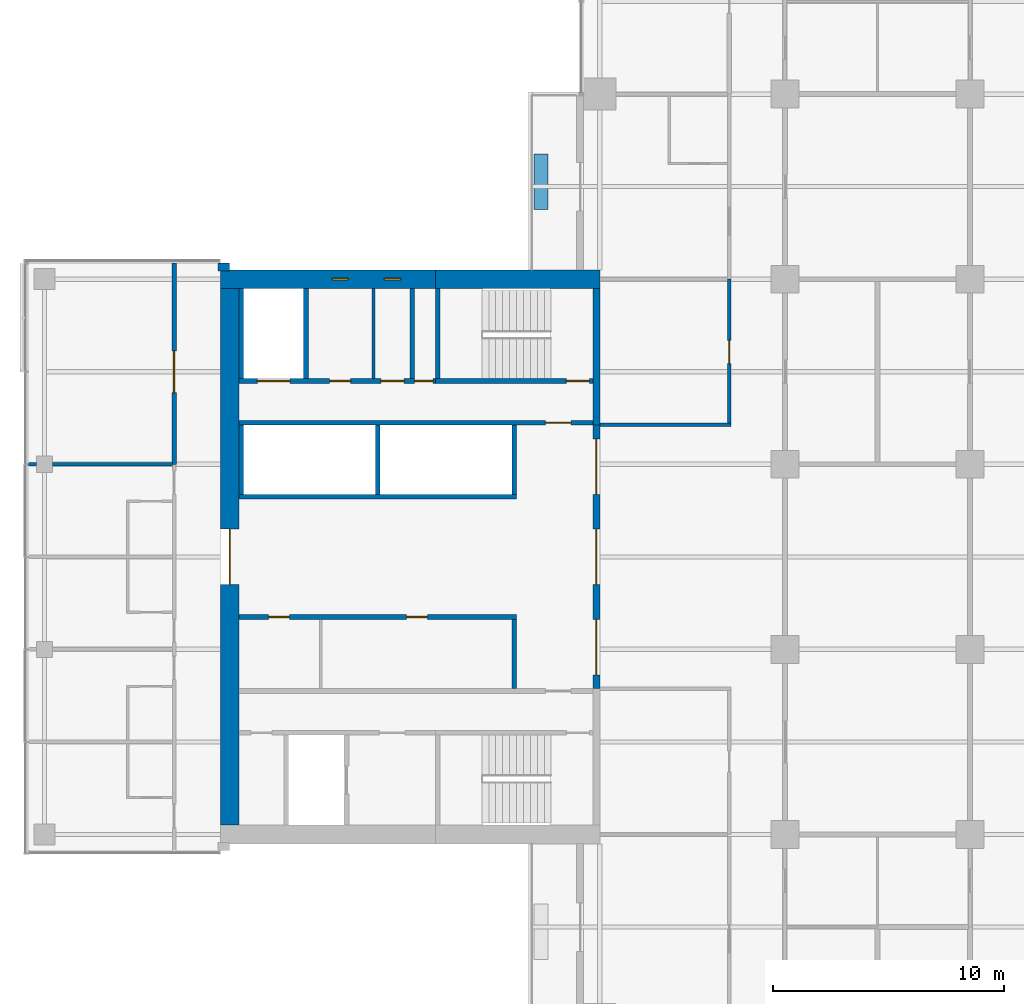
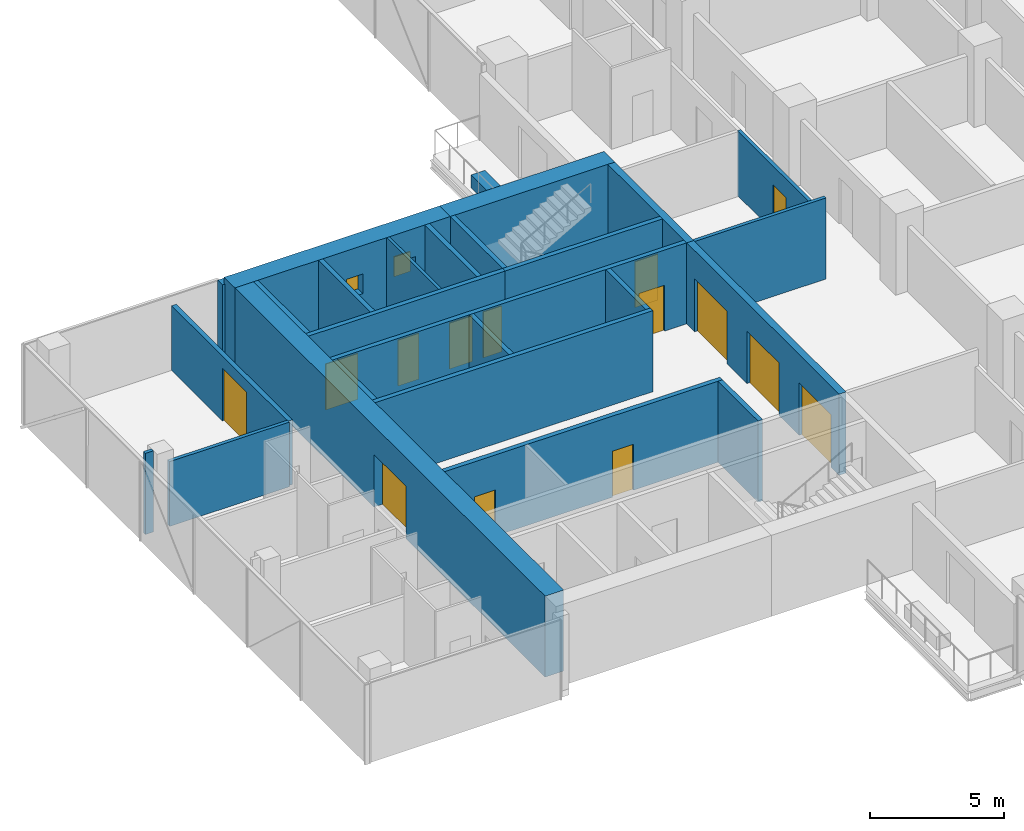
# One storey, part 18 of 27: 26 walls, 14 doors, 2 windows, 16 openings.
"""IFC4 building model written with IfcOpenShell, lengths in metres."""

from ifc_helpers import new_model, si_unit, direction, frame, frame_2d, origin, place, context, subcontext, project, spatial, rectangle, extrude, material, layer, layer_set, constituent, constituent_set, type_object, element, fill, save


model = new_model("IFC4")

# Units and contexts
model_context = context("Model", 3, precision=1e-05, world=origin(), true_north=direction((0.0, 1.0)))
body_context = subcontext(model_context, "Body", "Model", "MODEL_VIEW")
ifc_project = project(units=[si_unit("LENGTHUNIT", "METRE"), si_unit("AREAUNIT", "SQUARE_METRE"), si_unit("VOLUMEUNIT", "CUBIC_METRE"), si_unit("PLANEANGLEUNIT", "RADIAN"), si_unit("MASSUNIT", "GRAM", prefix="KILO")], contexts=[model_context])

# Site, building, storey
site_placement = place(None, origin())
site = spatial("IfcSite", under=ifc_project, at=site_placement, CompositionType="ELEMENT")
building_placement = place(site_placement, origin())
building = spatial("IfcBuilding", under=site, at=building_placement, Name="Crosswind Convention Tower", CompositionType="ELEMENT")
storey_placement = place(building_placement, frame((0.0, 0.0, 75.699951171875)))
storey = spatial("IfcBuildingStorey", under=building, at=storey_placement, Name="L13", CompositionType="ELEMENT", Elevation=75.699951171875)

# Walls
ifc_material_1 = material(Name="Concrete blockwork", Category="masonry")
ifc_layer_1 = layer(ifc_material_1, 0.199951171875)
ifc_layer_set_1 = layer_set([ifc_layer_1], Name="Blockwork partition wall 200")
wall_type_1 = type_object("IfcWallType", Name="Blockwork partition wall 200", PredefinedType="PARTITIONING", material=ifc_layer_set_1)
wall_1_placement = place(storey_placement, frame((104.89990234375, 111.60009765625, 0.0), z_axis=(0.0, 0.0, 1.0), x_axis=(0.0, -1.0, 0.0)))
element("IfcWall", 1, at=wall_1_placement, inside=storey, type_object=wall_type_1, Name="Wall MRSE W L13", PredefinedType="PARTITIONING", context=body_context, shape_type="SweptSolid", body=[
    extrude(rectangle(XDim=3.900146484375, YDim=0.199951171875, at=frame_2d((1.9501953125, 0.0))), origin(), (0.0, 0.0, 1.0), 3.699951171875),
])
ifc_material_2 = material(Name="Plasterboard partition", Category="gypsum")
ifc_layer_2 = layer(ifc_material_2, 0.14990234375)
ifc_layer_set_2 = layer_set([ifc_layer_2], Name="CORRIDOR WALL 150")
wall_type_2 = type_object("IfcWallType", Name="CORRIDOR WALL 150", PredefinedType="PARTITIONING", material=ifc_layer_set_2)
wall_2_placement = place(storey_placement, frame((113.0, 105.699951171875, 0.0), z_axis=(0.0, 0.0, 1.0), x_axis=(1.0, 0.0, 0.0)))
element("IfcWall", 2, at=wall_2_placement, inside=storey, type_object=wall_type_2, Name="Corridor Wall 39", PredefinedType="PARTITIONING", context=body_context, shape_type="SweptSolid", body=[
    extrude(rectangle(XDim=5.675048828125, YDim=0.14990234375, at=frame_2d((2.83740234375, 0.0))), origin(), (0.0, 0.0, 1.0), 3.699951171875),
])

# Wall, opening, door
wall_3_placement = place(storey_placement, frame((118.60009765625, 105.77490234375, 0.0), z_axis=(0.0, 0.0, 1.0), x_axis=(0.0, 1.0, 0.0)))
wall_3 = element("IfcWall", 3, at=wall_3_placement, inside=storey, type_object=wall_type_2, Name="Corridor Wall 75", PredefinedType="PARTITIONING", context=body_context, shape_type="SweptSolid", body=[
    extrude(rectangle(XDim=6.22509765625, YDim=0.14990234375, at=frame_2d((3.112548828125, 0.0))), origin(), (0.0, 0.0, 1.0), 2.95654296875),
])
opening_1_placement = place(wall_3_placement, frame((2.574951171875, 0.0, 0.0)))
opening_1 = element("IfcOpeningElement", 4, at=opening_1_placement, cuts=wall_3, Name="Opening 13.003", PredefinedType="OPENING", context=body_context, shape_type="SweptSolid", body=[
    extrude(rectangle(XDim=1.0, YDim=2.10009765625, at=frame_2d((0.5, 1.050048828125))), frame((0.0, 0.0849609375, 0.0), z_axis=(0.0, -1.0, 0.0), x_axis=(1.0, 0.0, 0.0)), (0.0, 0.0, 1.0), 0.169921875),
])
ifc_material_3 = material(Name="Timber fire door", Category="wood")
door_type_1 = type_object("IfcDoorType", Name="SERVICE ROOM DOOR 1000X2100", OperationType="NOTDEFINED", PredefinedType="DOOR", material=ifc_material_3)
door_1_placement = place(opening_1_placement, origin())
door_1 = element("IfcDoor", 5, at=door_1_placement, inside=storey, type_object=door_type_1, Name="Door 13.003", ObjectType="D3", OperationType="SINGLE_SWING_RIGHT", OverallHeight=2.10009765625, OverallWidth=1.0, PredefinedType="DOOR", context=body_context, shape_type="SweptSolid", body=[
    extrude(rectangle(XDim=1.0, YDim=2.10009765625, at=frame_2d((0.5, 1.050048828125))), frame((0.0, 0.02490234375, 0.0), z_axis=(0.0, -1.0, 0.0), x_axis=(1.0, 0.0, 0.0)), (0.0, 0.0, 1.0), 0.050048828125),
])
fill(opening_1, door_1)

ifc_material_4 = material(Name="Concrete C60/75", Category="concrete")
ifc_layer_3 = layer(ifc_material_4, 0.800048828125)
ifc_layer_set_3 = layer_set([ifc_layer_3], Name="Concrete C60/75")
wall_type_3 = type_object("IfcWallType", Name="Concrete core wall 800", PredefinedType="SHEAR", material=ifc_layer_set_3)
wall_4_placement = place(storey_placement, frame((97.0, 111.60009765625, 0.0), z_axis=(0.0, 0.0, 1.0), x_axis=(0.0, -1.0, 0.0)))
wall_4 = element("IfcWall", 6, at=wall_4_placement, inside=storey, type_object=wall_type_3, Name="Wall O W L13", PredefinedType="SHEAR", context=body_context, shape_type="SweptSolid", body=[
    extrude(rectangle(XDim=23.2001953125, YDim=0.800048828125, at=frame_2d((11.60009765625, 0.0))), origin(), (0.0, 0.0, 1.0), 3.699951171875),
])
opening_2_placement = place(wall_4_placement, frame((10.39990234375, 0.0, 0.0)))
opening_2 = element("IfcOpeningElement", 7, at=opening_2_placement, cuts=wall_4, Name="Opening D100", PredefinedType="OPENING", context=body_context, shape_type="SweptSolid", body=[
    extrude(rectangle(XDim=2.39990234375, YDim=2.39990234375, at=frame_2d((1.199951171875, 1.199951171875))), frame((0.0, 0.409912109375, 0.0), z_axis=(0.0, -1.0, 0.0), x_axis=(1.0, 0.0, 0.0)), (0.0, 0.0, 1.0), 0.820068359375),
])
ifc_material_5 = material(Name="Steel fire door with glazed vision panels", Category="steel")
door_type_2 = type_object("IfcDoorType", Name="Fire-rated double door 2400x2400", OperationType="DOUBLE_DOOR_SINGLE_SWING", PredefinedType="DOOR", material=ifc_material_5)
door_2_placement = place(opening_2_placement, origin())
door_2 = element("IfcDoor", 8, at=door_2_placement, inside=storey, type_object=door_type_2, Name="Lobby outer door L13", ObjectType="D100", OperationType="DOUBLE_DOOR_SINGLE_SWING", OverallHeight=2.39990234375, OverallWidth=2.39990234375, PredefinedType="DOOR", context=body_context, shape_type="SweptSolid", body=[
    extrude(rectangle(XDim=2.39990234375, YDim=2.39990234375, at=frame_2d((1.199951171875, 1.199951171875))), frame((0.0, 0.02490234375, 0.0), z_axis=(0.0, -1.0, 0.0), x_axis=(1.0, 0.0, 0.0)), (0.0, 0.0, 1.0), 0.050048828125),
])
fill(opening_2, door_2)

# Wall, openings, doors
ifc_material_6 = material(Name="Concrete C50/60", Category="concrete")
ifc_layer_4 = layer(ifc_material_6, 0.300048828125)
ifc_layer_set_4 = layer_set([ifc_layer_4], Name="Concrete C50/60")
wall_type_4 = type_object("IfcWallType", Name="Concrete inner core wall 300", PredefinedType="SHEAR", material=ifc_layer_set_4)
wall_5_placement = place(storey_placement, frame((112.85009765625, 105.699951171875, 0.0), z_axis=(0.0, 0.0, 1.0), x_axis=(0.0, -1.0, 0.0)))
wall_5 = element("IfcWall", 9, at=wall_5_placement, inside=storey, type_object=wall_type_4, Name="Wall SCR W L13", PredefinedType="SHEAR", context=body_context, shape_type="SweptSolid", body=[
    extrude(rectangle(XDim=11.39990234375, YDim=0.300048828125, at=frame_2d((5.699951171875, 0.0))), origin(), (0.0, 0.0, 1.0), 3.699951171875),
])
opening_3_placement = place(wall_5_placement, frame((0.60009765625, 0.0, 0.0)))
opening_3 = element("IfcOpeningElement", 10, at=opening_3_placement, cuts=wall_5, Name="Opening D100", PredefinedType="OPENING", context=body_context, shape_type="SweptSolid", body=[
    extrude(rectangle(XDim=2.39990234375, YDim=2.39990234375, at=frame_2d((1.199951171875, 1.199951171875))), frame((0.0, 0.159912109375, 0.0), z_axis=(0.0, -1.0, 0.0), x_axis=(1.0, 0.0, 0.0)), (0.0, 0.0, 1.0), 0.320068359375),
])
opening_4_placement = place(wall_5_placement, frame((4.5, 0.0, 0.0)))
opening_4 = element("IfcOpeningElement", 11, at=opening_4_placement, cuts=wall_5, Name="Opening D100", PredefinedType="OPENING", context=body_context, shape_type="SweptSolid", body=[
    extrude(rectangle(XDim=2.39990234375, YDim=2.39990234375, at=frame_2d((1.199951171875, 1.199951171875))), frame((0.0, 0.159912109375, 0.0), z_axis=(0.0, -1.0, 0.0), x_axis=(1.0, 0.0, 0.0)), (0.0, 0.0, 1.0), 0.320068359375),
])
opening_5_placement = place(wall_5_placement, frame((8.39990234375, 0.0, 0.0)))
opening_5 = element("IfcOpeningElement", 12, at=opening_5_placement, cuts=wall_5, Name="Opening D100", PredefinedType="OPENING", context=body_context, shape_type="SweptSolid", body=[
    extrude(rectangle(XDim=2.39990234375, YDim=2.39990234375, at=frame_2d((1.199951171875, 1.199951171875))), frame((0.0, 0.159912109375, 0.0), z_axis=(0.0, -1.0, 0.0), x_axis=(1.0, 0.0, 0.0)), (0.0, 0.0, 1.0), 0.320068359375),
])
door_3_placement = place(opening_3_placement, origin())
door_3 = element("IfcDoor", 13, at=door_3_placement, inside=storey, type_object=door_type_2, Name="Lobby door 1 L13", ObjectType="D100", OperationType="DOUBLE_DOOR_SINGLE_SWING", OverallHeight=2.39990234375, OverallWidth=2.39990234375, PredefinedType="DOOR", context=body_context, shape_type="SweptSolid", body=[
    extrude(rectangle(XDim=2.39990234375, YDim=2.39990234375, at=frame_2d((1.199951171875, 1.199951171875))), frame((0.0, 0.02490234375, 0.0), z_axis=(0.0, -1.0, 0.0), x_axis=(1.0, 0.0, 0.0)), (0.0, 0.0, 1.0), 0.050048828125),
])
fill(opening_3, door_3)
door_4_placement = place(opening_4_placement, origin())
door_4 = element("IfcDoor", 14, at=door_4_placement, inside=storey, type_object=door_type_2, Name="Lobby door 2 L13", ObjectType="D100", OperationType="DOUBLE_DOOR_SINGLE_SWING", OverallHeight=2.39990234375, OverallWidth=2.39990234375, PredefinedType="DOOR", context=body_context, shape_type="SweptSolid", body=[
    extrude(rectangle(XDim=2.39990234375, YDim=2.39990234375, at=frame_2d((1.199951171875, 1.199951171875))), frame((0.0, 0.02490234375, 0.0), z_axis=(0.0, -1.0, 0.0), x_axis=(1.0, 0.0, 0.0)), (0.0, 0.0, 1.0), 0.050048828125),
])
fill(opening_4, door_4)
door_5_placement = place(opening_5_placement, origin())
door_5 = element("IfcDoor", 15, at=door_5_placement, inside=storey, type_object=door_type_2, Name="Lobby door 3 L13", ObjectType="D100", OperationType="DOUBLE_DOOR_SINGLE_SWING", OverallHeight=2.39990234375, OverallWidth=2.39990234375, PredefinedType="DOOR", context=body_context, shape_type="SweptSolid", body=[
    extrude(rectangle(XDim=2.39990234375, YDim=2.39990234375, at=frame_2d((1.199951171875, 1.199951171875))), frame((0.0, 0.02490234375, 0.0), z_axis=(0.0, -1.0, 0.0), x_axis=(1.0, 0.0, 0.0)), (0.0, 0.0, 1.0), 0.050048828125),
])
fill(opening_5, door_5)

# Walls
wall_6_placement = place(storey_placement, frame((112.85009765625, 111.60009765625, 0.0), z_axis=(0.0, 0.0, 1.0), x_axis=(0.0, -1.0, 0.0)))
element("IfcWall", 16, at=wall_6_placement, inside=storey, type_object=wall_type_4, Name="Wall EM W L13", PredefinedType="SHEAR", context=body_context, shape_type="SweptSolid", body=[
    extrude(rectangle(XDim=5.900146484375, YDim=0.300048828125, at=frame_2d((2.9501953125, 0.0))), origin(), (0.0, 0.0, 1.0), 3.699951171875),
])
ifc_layer_5 = layer(ifc_material_6, 0.199951171875)
ifc_layer_set_5 = layer_set([ifc_layer_5], Name="Concrete C50/60")
wall_type_5 = type_object("IfcWallType", Name="Concrete shaft and stair wall 200", PredefinedType="SHEAR", material=ifc_layer_set_5)
wall_7_placement = place(storey_placement, frame((109.300048828125, 97.300048828125, 0.0), z_axis=(0.0, 0.0, 1.0), x_axis=(0.0, -1.0, 0.0)))
element("IfcWall", 17, at=wall_7_placement, inside=storey, type_object=wall_type_5, Name="Wall RPEND W L13", PredefinedType="SHEAR", context=body_context, shape_type="SweptSolid", body=[
    extrude(rectangle(XDim=3.0, YDim=0.199951171875, at=frame_2d((1.5, 0.0))), origin(), (0.0, 0.0, 1.0), 3.699951171875),
])

# Wall, openings, doors
wall_8_placement = place(storey_placement, frame((109.39990234375, 97.39990234375, 0.0), z_axis=(0.0, 0.0, 1.0), x_axis=(-1.0, 0.0, 0.0)))
wall_8 = element("IfcWall", 18, at=wall_8_placement, inside=storey, type_object=wall_type_5, Name="Wall RPFRONT W L13", PredefinedType="SHEAR", context=body_context, shape_type="SweptSolid", body=[
    extrude(rectangle(XDim=12.0, YDim=0.199951171875, at=frame_2d((6.0, 0.0))), origin(), (0.0, 0.0, 1.0), 3.699951171875),
])
opening_6_placement = place(wall_8_placement, frame((3.8486328125, 0.0, 0.0)))
opening_6 = element("IfcOpeningElement", 19, at=opening_6_placement, cuts=wall_8, Name="Opening D106", PredefinedType="OPENING", context=body_context, shape_type="SweptSolid", body=[
    extrude(rectangle(XDim=0.89990234375, YDim=2.10009765625, at=frame_2d((0.449951171875, 1.050048828125))), frame((0.0, 0.10986328125, 0.0), z_axis=(0.0, -1.0, 0.0), x_axis=(1.0, 0.0, 0.0)), (0.0, 0.0, 1.0), 0.219970703125),
])
opening_7_placement = place(wall_8_placement, frame((9.811279296875, 0.0, 0.0)))
opening_7 = element("IfcOpeningElement", 20, at=opening_7_placement, cuts=wall_8, Name="Opening D106", PredefinedType="OPENING", context=body_context, shape_type="SweptSolid", body=[
    extrude(rectangle(XDim=0.89990234375, YDim=2.10009765625, at=frame_2d((0.449951171875, 1.050048828125))), frame((0.0, 0.10986328125, 0.0), z_axis=(0.0, -1.0, 0.0), x_axis=(1.0, 0.0, 0.0)), (0.0, 0.0, 1.0), 0.219970703125),
])
ifc_material_7 = material(Name="Timber door", Category="wood")
door_type_3 = type_object("IfcDoorType", Name="Single leaf door 900x2100", OperationType="NOTDEFINED", PredefinedType="DOOR", material=ifc_material_7)
door_6_placement = place(opening_6_placement, origin())
door_6 = element("IfcDoor", 21, at=door_6_placement, inside=storey, type_object=door_type_3, Name="Door to meeting room L13", ObjectType="D106", OperationType="SINGLE_SWING_RIGHT", OverallHeight=2.10009765625, OverallWidth=0.89990234375, PredefinedType="DOOR", context=body_context, shape_type="SweptSolid", body=[
    extrude(rectangle(XDim=0.89990234375, YDim=2.10009765625, at=frame_2d((0.449951171875, 1.050048828125))), frame((0.0, 0.02490234375, 0.0), z_axis=(0.0, -1.0, 0.0), x_axis=(1.0, 0.0, 0.0)), (0.0, 0.0, 1.0), 0.050048828125),
])
fill(opening_6, door_6)
door_7_placement = place(opening_7_placement, origin())
door_7 = element("IfcDoor", 22, at=door_7_placement, inside=storey, type_object=door_type_3, Name="Door to business centre L13", ObjectType="D106", OperationType="SINGLE_SWING_RIGHT", OverallHeight=2.10009765625, OverallWidth=0.89990234375, PredefinedType="DOOR", context=body_context, shape_type="SweptSolid", body=[
    extrude(rectangle(XDim=0.89990234375, YDim=2.10009765625, at=frame_2d((0.449951171875, 1.050048828125))), frame((0.0, 0.02490234375, 0.0), z_axis=(0.0, -1.0, 0.0), x_axis=(1.0, 0.0, 0.0)), (0.0, 0.0, 1.0), 0.050048828125),
])
fill(opening_7, door_7)

# Walls
for number, where, z_axis, x_axis, name in (
    (23, (109.300048828125, 105.699951171875, 0.0), (0.0, 0.0, 1.0), (0.0, -1.0, 0.0), "Wall RMEND W L13"),
    (24, (103.39990234375, 105.699951171875, 0.0), (0.0, 0.0, 1.0), (0.0, -1.0, 0.0), "Wall RMSEP W L13"),
    (25, (97.5, 105.699951171875, 0.0), (0.0, 0.0, 1.0), (0.0, -1.0, 0.0), "Wall RMEAST W L13"),
):
    element("IfcWall", number, at=place(storey_placement, frame(where, z_axis=z_axis, x_axis=x_axis)), inside=storey, type_object=wall_type_5, Name=name, PredefinedType="SHEAR", context=body_context, shape_type="SweptSolid", body=[
        extrude(rectangle(XDim=3.0, YDim=0.199951171875, at=frame_2d((1.5, 0.0))), origin(), (0.0, 0.0, 1.0), 3.699951171875),
    ])
wall_9_placement = place(storey_placement, frame((109.39990234375, 102.60009765625, 0.0), z_axis=(0.0, 0.0, 1.0), x_axis=(-1.0, 0.0, 0.0)))
element("IfcWall", 26, at=wall_9_placement, inside=storey, type_object=wall_type_5, Name="Wall RMFRONT W L13", PredefinedType="SHEAR", context=body_context, shape_type="SweptSolid", body=[
    extrude(rectangle(XDim=12.0, YDim=0.199951171875, at=frame_2d((6.0, 0.0))), origin(), (0.0, 0.0, 1.0), 3.699951171875),
])

# Wall, opening, door
wall_10_placement = place(storey_placement, frame((112.699951171875, 105.800048828125, 0.0), z_axis=(0.0, 0.0, 1.0), x_axis=(-1.0, 0.0, 0.0)))
wall_10 = element("IfcWall", 27, at=wall_10_placement, inside=storey, type_object=wall_type_5, Name="Wall HM W L13", PredefinedType="SHEAR", context=body_context, shape_type="SweptSolid", body=[
    extrude(rectangle(XDim=15.300048828125, YDim=0.199951171875, at=frame_2d((7.64990234375, 0.0))), origin(), (0.0, 0.0, 1.0), 3.699951171875),
])
opening_8_placement = place(wall_10_placement, frame((0.949951171875, 0.0, 0.0)))
opening_8 = element("IfcOpeningElement", 28, at=opening_8_placement, cuts=wall_10, Name="Opening D104", PredefinedType="OPENING", context=body_context, shape_type="SweptSolid", body=[
    extrude(rectangle(XDim=1.10009765625, YDim=2.10009765625, at=frame_2d((0.550048828125, 1.050048828125))), frame((0.0, 0.10986328125, 0.0), z_axis=(0.0, -1.0, 0.0), x_axis=(1.0, 0.0, 0.0)), (0.0, 0.0, 1.0), 0.219970703125),
])
ifc_material_8 = material(Name="Steel fire door", Category="steel")
door_type_4 = type_object("IfcDoorType", Name="Fire-rated single door 1100x2100", OperationType="NOTDEFINED", PredefinedType="DOOR", material=ifc_material_8)
door_8_placement = place(opening_8_placement, origin())
door_8 = element("IfcDoor", 29, at=door_8_placement, inside=storey, type_object=door_type_4, Name="Corridor door L13", ObjectType="D104", OperationType="SINGLE_SWING_LEFT", OverallHeight=2.10009765625, OverallWidth=1.10009765625, PredefinedType="DOOR", context=body_context, shape_type="SweptSolid", body=[
    extrude(rectangle(XDim=1.10009765625, YDim=2.10009765625, at=frame_2d((0.550048828125, 1.050048828125))), frame((0.0, 0.02490234375, 0.0), z_axis=(0.0, -1.0, 0.0), x_axis=(1.0, 0.0, 0.0)), (0.0, 0.0, 1.0), 0.050048828125),
])
fill(opening_8, door_8)

# Walls
for number, where, z_axis, x_axis, name in (
    (30, (106.0, 111.60009765625, 0.0), (0.0, 0.0, 1.0), (0.0, -1.0, 0.0), "Wall MSE W L13"),
    (31, (100.300048828125, 111.60009765625, 0.0), (0.0, 0.0, 1.0), (0.0, -1.0, 0.0), "Wall MFSW W L13"),
    (32, (97.5, 111.60009765625, 0.0), (0.0, 0.0, 1.0), (0.0, -1.0, 0.0), "Wall MFSE W L13"),
):
    element("IfcWall", number, at=place(storey_placement, frame(where, z_axis=z_axis, x_axis=x_axis)), inside=storey, type_object=wall_type_5, Name=name, PredefinedType="SHEAR", context=body_context, shape_type="SweptSolid", body=[
        extrude(rectangle(XDim=3.900146484375, YDim=0.199951171875, at=frame_2d((1.9501953125, 0.0))), origin(), (0.0, 0.0, 1.0), 3.699951171875),
    ])

# Wall, opening, door
wall_11_placement = place(storey_placement, frame((112.699951171875, 107.60009765625, 0.0), z_axis=(0.0, 0.0, 1.0), x_axis=(-1.0, 0.0, 0.0)))
wall_11 = element("IfcWall", 33, at=wall_11_placement, inside=storey, type_object=wall_type_5, Name="Wall MCW W L13", PredefinedType="SHEAR", context=body_context, shape_type="SweptSolid", body=[
    extrude(rectangle(XDim=6.800048828125, YDim=0.199951171875, at=frame_2d((3.39990234375, 0.0))), origin(), (0.0, 0.0, 1.0), 3.699951171875),
])
opening_9_placement = place(wall_11_placement, frame((0.14990234375, 0.0, 0.0)))
opening_9 = element("IfcOpeningElement", 34, at=opening_9_placement, cuts=wall_11, Name="Opening D103", PredefinedType="OPENING", context=body_context, shape_type="SweptSolid", body=[
    extrude(rectangle(XDim=1.0, YDim=2.10009765625, at=frame_2d((0.5, 1.050048828125))), frame((0.0, 0.10986328125, 0.0), z_axis=(0.0, -1.0, 0.0), x_axis=(1.0, 0.0, 0.0)), (0.0, 0.0, 1.0), 0.219970703125),
])
door_type_5 = type_object("IfcDoorType", Name="Fire-rated single door 1000x2100", OperationType="NOTDEFINED", PredefinedType="DOOR", material=ifc_material_8)
door_9_placement = place(opening_9_placement, frame((1.0, 0.0, 0.0), z_axis=(0.0, 0.0, 1.0), x_axis=(-1.0, 0.0, 0.0)))
door_9 = element("IfcDoor", 35, at=door_9_placement, inside=storey, type_object=door_type_5, Name="Stair ST4 door L13", ObjectType="D103", OperationType="SINGLE_SWING_RIGHT", OverallHeight=2.10009765625, OverallWidth=1.0, PredefinedType="DOOR", context=body_context, shape_type="SweptSolid", body=[
    extrude(rectangle(XDim=1.0, YDim=2.10009765625, at=frame_2d((0.5, 1.050048828125))), frame((0.0, 0.02490234375, 0.0), z_axis=(0.0, -1.0, 0.0), x_axis=(1.0, 0.0, 0.0)), (0.0, 0.0, 1.0), 0.050048828125),
])
fill(opening_9, door_9)

# Wall, openings, doors
wall_12_placement = place(storey_placement, frame((105.89990234375, 107.60009765625, 0.0), z_axis=(0.0, 0.0, 1.0), x_axis=(-1.0, 0.0, 0.0)))
wall_12 = element("IfcWall", 36, at=wall_12_placement, inside=storey, type_object=wall_type_5, Name="Wall MCX W L13", PredefinedType="SHEAR", context=body_context, shape_type="SweptSolid", body=[
    extrude(rectangle(XDim=8.5, YDim=0.199951171875, at=frame_2d((4.25, 0.0))), origin(), (0.0, 0.0, 1.0), 3.699951171875),
])
opening_10_placement = place(wall_12_placement, frame((0.10009765625, 0.0, 0.0)))
opening_10 = element("IfcOpeningElement", 37, at=opening_10_placement, cuts=wall_12, Name="Opening D105", PredefinedType="OPENING", context=body_context, shape_type="SweptSolid", body=[
    extrude(rectangle(XDim=0.800048828125, YDim=2.10009765625, at=frame_2d((0.39990234375, 1.050048828125))), frame((0.0, 0.10986328125, 0.0), z_axis=(0.0, -1.0, 0.0), x_axis=(1.0, 0.0, 0.0)), (0.0, 0.0, 1.0), 0.219970703125),
])
opening_11_placement = place(wall_12_placement, frame((1.36083984375, 0.0, 0.0)))
opening_11 = element("IfcOpeningElement", 38, at=opening_11_placement, cuts=wall_12, Name="Opening D103", PredefinedType="OPENING", context=body_context, shape_type="SweptSolid", body=[
    extrude(rectangle(XDim=1.0, YDim=2.10009765625, at=frame_2d((0.5, 1.050048828125))), frame((0.0, 0.10986328125, 0.0), z_axis=(0.0, -1.0, 0.0), x_axis=(1.0, 0.0, 0.0)), (0.0, 0.0, 1.0), 0.219970703125),
])
opening_12_placement = place(wall_12_placement, frame((3.67333984375, 0.0, 0.0)))
opening_12 = element("IfcOpeningElement", 39, at=opening_12_placement, cuts=wall_12, Name="Opening D106", PredefinedType="OPENING", context=body_context, shape_type="SweptSolid", body=[
    extrude(rectangle(XDim=0.89990234375, YDim=2.10009765625, at=frame_2d((0.449951171875, 1.050048828125))), frame((0.0, 0.10986328125, 0.0), z_axis=(0.0, -1.0, 0.0), x_axis=(1.0, 0.0, 0.0)), (0.0, 0.0, 1.0), 0.219970703125),
])
opening_13_placement = place(wall_12_placement, frame((6.300048828125, 0.0, 0.0)))
opening_13 = element("IfcOpeningElement", 40, at=opening_13_placement, cuts=wall_12, Name="Opening LD2", PredefinedType="OPENING", context=body_context, shape_type="SweptSolid", body=[
    extrude(rectangle(XDim=1.39990234375, YDim=2.10009765625, at=frame_2d((0.699951171875, 1.050048828125))), frame((0.0, 0.10986328125, 0.0), z_axis=(0.0, -1.0, 0.0), x_axis=(1.0, 0.0, 0.0)), (0.0, 0.0, 1.0), 0.219970703125),
])
door_10_placement = place(opening_11_placement, frame((1.0, 0.0, 0.0), z_axis=(0.0, 0.0, 1.0), x_axis=(-1.0, 0.0, 0.0)))
door_10 = element("IfcDoor", 41, at=door_10_placement, inside=storey, type_object=door_type_5, Name="Door to accessible wc L13", ObjectType="D103", OperationType="SINGLE_SWING_LEFT", OverallHeight=2.10009765625, OverallWidth=1.0, PredefinedType="DOOR", context=body_context, shape_type="SweptSolid", body=[
    extrude(rectangle(XDim=1.0, YDim=2.10009765625, at=frame_2d((0.5, 1.050048828125))), frame((0.0, 0.02490234375, 0.0), z_axis=(0.0, -1.0, 0.0), x_axis=(1.0, 0.0, 0.0)), (0.0, 0.0, 1.0), 0.050048828125),
])
fill(opening_11, door_10)
ifc_material_9 = material(Name="Stainless steel", Category="steel")
door_type_6 = type_object("IfcDoorType", Name="Lift landing door 1400x2100", OperationType="DOUBLE_DOOR_SLIDING", PredefinedType="DOOR", material=ifc_material_9)
door_11_placement = place(opening_13_placement, origin())
door_11 = element("IfcDoor", 42, at=door_11_placement, inside=storey, type_object=door_type_6, Name="Landing door SV2 L13", ObjectType="LD2", OperationType="DOUBLE_DOOR_SLIDING", OverallHeight=2.10009765625, OverallWidth=1.39990234375, PredefinedType="DOOR", context=body_context, shape_type="SweptSolid", body=[
    extrude(rectangle(XDim=1.39990234375, YDim=2.10009765625, at=frame_2d((0.699951171875, 1.050048828125))), frame((0.0, 0.02490234375, 0.0), z_axis=(0.0, -1.0, 0.0), x_axis=(1.0, 0.0, 0.0)), (0.0, 0.0, 1.0), 0.050048828125),
])
fill(opening_13, door_11)
door_type_7 = type_object("IfcDoorType", Name="Riser access door 800x2100", OperationType="NOTDEFINED", PredefinedType="DOOR", material=ifc_material_8)
door_12_placement = place(opening_10_placement, frame((0.800048828125, 0.0, 0.0), z_axis=(0.0, 0.0, 1.0), x_axis=(-1.0, 0.0, 0.0)))
door_12 = element("IfcDoor", 43, at=door_12_placement, inside=storey, type_object=door_type_7, Name="Riser door L13", ObjectType="D105", OperationType="SINGLE_SWING_LEFT", OverallHeight=2.10009765625, OverallWidth=0.800048828125, PredefinedType="DOOR", context=body_context, shape_type="SweptSolid", body=[
    extrude(rectangle(XDim=0.800048828125, YDim=2.10009765625, at=frame_2d((0.39990234375, 1.050048828125))), frame((0.0, 0.02490234375, 0.0), z_axis=(0.0, -1.0, 0.0), x_axis=(1.0, 0.0, 0.0)), (0.0, 0.0, 1.0), 0.050048828125),
])
fill(opening_10, door_12)
door_13_placement = place(opening_12_placement, frame((0.89990234375, 0.0, 0.0), z_axis=(0.0, 0.0, 1.0), x_axis=(-1.0, 0.0, 0.0)))
door_13 = element("IfcDoor", 44, at=door_13_placement, inside=storey, type_object=door_type_3, Name="Door to wc L13", ObjectType="D106", OperationType="SINGLE_SWING_LEFT", OverallHeight=2.10009765625, OverallWidth=0.89990234375, PredefinedType="DOOR", context=body_context, shape_type="SweptSolid", body=[
    extrude(rectangle(XDim=0.89990234375, YDim=2.10009765625, at=frame_2d((0.449951171875, 1.050048828125))), frame((0.0, 0.02490234375, 0.0), z_axis=(0.0, -1.0, 0.0), x_axis=(1.0, 0.0, 0.0)), (0.0, 0.0, 1.0), 0.050048828125),
])
fill(opening_12, door_13)

# Walls
ifc_material_10 = material(Name="Gypsum plasterboard partition", Category="gypsum")
ifc_layer_6 = layer(ifc_material_10, 0.125)
ifc_layer_set_6 = layer_set([ifc_layer_6], Name="Drywall partition wall 125")
wall_type_6 = type_object("IfcWallType", Name="Drywall partition wall 125", PredefinedType="PARTITIONING", material=ifc_layer_set_6)
wall_13_placement = place(storey_placement, frame((103.216064453125, 111.60009765625, 0.0), z_axis=(0.0, 0.0, 1.0), x_axis=(0.0, -1.0, 0.0)))
element("IfcWall", 45, at=wall_13_placement, inside=storey, type_object=wall_type_6, Name="Wall MWP1 W L13", PredefinedType="PARTITIONING", context=body_context, shape_type="SweptSolid", body=[
    extrude(rectangle(XDim=3.900146484375, YDim=0.125, at=frame_2d((1.9501953125, 0.0))), origin(), (0.0, 0.0, 1.0), 3.699951171875),
])
ifc_material_11 = material(Name="Acoustic plasterboard partition", Category="gypsum")
ifc_layer_7 = layer(ifc_material_11, 0.14990234375)
ifc_layer_set_7 = layer_set([ifc_layer_7], Name="GUEST ROOM WALL 150")
wall_type_7 = type_object("IfcWallType", Name="GUEST ROOM WALL 150", PredefinedType="PARTITIONING", material=ifc_layer_set_7)
wall_14_placement = place(storey_placement, frame((88.300048828125, 104.0, 0.0), z_axis=(0.0, 0.0, 1.0), x_axis=(1.0, 0.0, 0.0)))
element("IfcWall", 46, at=wall_14_placement, inside=storey, type_object=wall_type_7, Name="Guest Room Wall 34", PredefinedType="PARTITIONING", context=body_context, shape_type="SweptSolid", body=[
    extrude(rectangle(XDim=0.349853515625, YDim=0.14990234375, at=frame_2d((0.1748046875, 0.0))), origin(), (0.0, 0.0, 1.0), 3.699951171875),
])
wall_15_placement = place(storey_placement, frame((89.35009765625, 104.0, 0.0), z_axis=(0.0, 0.0, 1.0), x_axis=(1.0, 0.0, 0.0)))
element("IfcWall", 47, at=wall_15_placement, inside=storey, type_object=wall_type_7, Name="Guest Room Wall 35", PredefinedType="PARTITIONING", context=body_context, shape_type="SweptSolid", body=[
    extrude(rectangle(XDim=5.1748046875, YDim=0.14990234375, at=frame_2d((2.58740234375, 0.0))), origin(), (0.0, 0.0, 1.0), 2.95654296875),
])

# Wall, opening, door
ifc_material_12 = material(Name="Double plasterboard partition", Category="gypsum")
ifc_layer_8 = layer(ifc_material_12, 0.199951171875)
ifc_layer_set_8 = layer_set([ifc_layer_8], Name="HALL WALL 200")
wall_type_8 = type_object("IfcWallType", Name="HALL WALL 200", PredefinedType="PARTITIONING", material=ifc_layer_set_8)
wall_16_placement = place(storey_placement, frame((94.60009765625, 104.0, 0.0), z_axis=(0.0, 0.0, 1.0), x_axis=(0.0, 1.0, 0.0)))
wall_16 = element("IfcWall", 48, at=wall_16_placement, inside=storey, type_object=wall_type_8, Name="Hall Wall 66", PredefinedType="PARTITIONING", context=body_context, shape_type="SweptSolid", body=[
    extrude(rectangle(XDim=8.699951171875, YDim=0.199951171875, at=frame_2d((4.35009765625, 0.0))), origin(), (0.0, 0.0, 1.0), 2.95654296875),
])
opening_14_placement = place(wall_16_placement, frame((3.10009765625, 0.0, 0.0)))
opening_14 = element("IfcOpeningElement", 49, at=opening_14_placement, cuts=wall_16, Name="Opening 13.047", PredefinedType="OPENING", context=body_context, shape_type="SweptSolid", body=[
    extrude(rectangle(XDim=1.800048828125, YDim=2.39990234375, at=frame_2d((0.89990234375, 1.199951171875))), frame((0.0, 0.10986328125, 0.0), z_axis=(0.0, -1.0, 0.0), x_axis=(1.0, 0.0, 0.0)), (0.0, 0.0, 1.0), 0.219970703125),
])
door_type_8 = type_object("IfcDoorType", Name="HALL DOUBLE DOOR 1800X2400", OperationType="DOUBLE_DOOR_SINGLE_SWING", PredefinedType="DOOR", material=ifc_material_3)
door_14_placement = place(opening_14_placement, frame((1.800048828125, 0.0, 0.0), z_axis=(0.0, 0.0, 1.0), x_axis=(-1.0, 0.0, 0.0)))
door_14 = element("IfcDoor", 50, at=door_14_placement, inside=storey, type_object=door_type_8, Name="Door 13.047", ObjectType="D5", OperationType="DOUBLE_DOOR_SINGLE_SWING", OverallHeight=2.39990234375, OverallWidth=1.800048828125, PredefinedType="DOOR", context=body_context, shape_type="SweptSolid", body=[
    extrude(rectangle(XDim=1.800048828125, YDim=2.39990234375, at=frame_2d((0.89990234375, 1.199951171875))), frame((0.0, 0.02490234375, 0.0), z_axis=(0.0, -1.0, 0.0), x_axis=(1.0, 0.0, 0.0)), (0.0, 0.0, 1.0), 0.050048828125),
])
fill(opening_14, door_14)

# Walls
ifc_material_13 = material(Name="Concrete C30/37", Category="concrete")
ifc_layer_9 = layer(ifc_material_13, 0.60009765625)
ifc_layer_set_9 = layer_set([ifc_layer_9], Name="Concrete C30/37")
wall_type_9 = type_object("IfcWallType", Name="PLANTER BOX WALL 600", PredefinedType="SOLIDWALL", material=ifc_layer_set_9)
wall_17_placement = place(storey_placement, frame((110.449951171875, 117.39990234375, 0.0), z_axis=(0.0, 0.0, 1.0), x_axis=(0.0, -1.0, 0.0)))
element("IfcWall", 51, at=wall_17_placement, inside=storey, type_object=wall_type_9, Name="PLANTER L13 N-W.1-3", PredefinedType="SOLIDWALL", context=body_context, shape_type="SweptSolid", body=[
    extrude(rectangle(XDim=2.39990234375, YDim=0.60009765625, at=frame_2d((1.199951171875, 0.0))), origin(), (0.0, 0.0, 1.0), 0.60009765625),
])
ifc_material_14 = material(Name="Terracotta rainscreen", Category="ceramic")
ifc_layer_10 = layer(ifc_material_14, 0.02001953125)
ifc_material_15 = material(Name="Mineral wool insulation", Category="insulation")
ifc_layer_11 = layer(ifc_material_15, 0.10009765625)
ifc_layer_12 = layer(ifc_material_1, 0.236083984375)
ifc_layer_set_10 = layer_set([ifc_layer_10, ifc_layer_11, ifc_layer_12], Name="TERRACOTTA CORNER INFILL WALL 356")
wall_type_10 = type_object("IfcWallType", Name="TERRACOTTA CORNER INFILL WALL 356", PredefinedType="SOLIDWALL", material=ifc_layer_set_10)
wall_18_placement = place(storey_placement, frame((96.4951171875, 112.52197265625, 0.0), z_axis=(0.0, 0.0, 1.0), x_axis=(1.0, 0.0, 0.0)))
element("IfcWall", 52, at=wall_18_placement, inside=storey, type_object=wall_type_10, Name="Core corner infill wall L13 2", PredefinedType="SOLIDWALL", context=body_context, shape_type="SweptSolid", body=[
    extrude(rectangle(XDim=0.5048828125, YDim=0.35595703125, at=frame_2d((0.25244140625, 0.0))), origin(), (0.0, 0.0, 1.0), 3.420166015625),
])
ifc_constituent_1 = constituent(ifc_material_4, Name="Structure")
ifc_constituent_2 = constituent(ifc_material_14, Name="Facing")
ifc_constituent_set = constituent_set(constituents=[ifc_constituent_1, ifc_constituent_2], Name="Concrete C60/75, Terracotta rainscreen")
wall_type_11 = type_object("IfcWallType", Name="Terracotta rainscreen on concrete core wall 800", PredefinedType="SHEAR", material=ifc_constituent_set)
wall_19_placement = place(storey_placement, frame((113.0, 112.0, 0.0), z_axis=(0.0, 0.0, 1.0), x_axis=(-1.0, 0.0, 0.0)))
element("IfcWall", 53, at=wall_19_placement, inside=storey, type_object=wall_type_11, Name="Wall S1 W L13", PredefinedType="SHEAR", context=body_context, shape_type="SweptSolid", body=[
    extrude(rectangle(XDim=7.10009765625, YDim=0.800048828125, at=frame_2d((3.550048828125, 0.0))), origin(), (0.0, 0.0, 1.0), 3.699951171875),
])

# Wall, openings, windows
wall_20_placement = place(storey_placement, frame((105.89990234375, 112.0, 0.0), z_axis=(0.0, 0.0, 1.0), x_axis=(-1.0, 0.0, 0.0)))
wall_20 = element("IfcWall", 54, at=wall_20_placement, inside=storey, type_object=wall_type_11, Name="Wall S2 W L13", PredefinedType="SHEAR", context=body_context, shape_type="SweptSolid", body=[
    extrude(rectangle(XDim=9.2998046875, YDim=0.800048828125, at=frame_2d((4.64990234375, 0.0))), origin(), (0.0, 0.0, 1.0), 3.699951171875),
])
opening_15_placement = place(wall_20_placement, frame((1.5107421875, 0.0, 1.5)))
opening_15 = element("IfcOpeningElement", 55, at=opening_15_placement, cuts=wall_20, Name="Opening W2", PredefinedType="OPENING", context=body_context, shape_type="SweptSolid", body=[
    extrude(rectangle(XDim=0.699951171875, YDim=0.89990234375, at=frame_2d((0.35009765625, 0.449951171875))), frame((0.0, 0.409912109375, 0.0), z_axis=(0.0, -1.0, 0.0), x_axis=(1.0, 0.0, 0.0)), (0.0, 0.0, 1.0), 0.820068359375),
])
opening_16_placement = place(wall_20_placement, frame((3.773193359375, 0.0, 1.5)))
opening_16 = element("IfcOpeningElement", 56, at=opening_16_placement, cuts=wall_20, Name="Opening W2", PredefinedType="OPENING", context=body_context, shape_type="SweptSolid", body=[
    extrude(rectangle(XDim=0.699951171875, YDim=0.89990234375, at=frame_2d((0.35009765625, 0.449951171875))), frame((0.0, 0.409912109375, 0.0), z_axis=(0.0, -1.0, 0.0), x_axis=(1.0, 0.0, 0.0)), (0.0, 0.0, 1.0), 0.820068359375),
])
ifc_material_16 = material(Name="Obscure glass in aluminium frame", Category="aluminium")
window_type = type_object("IfcWindowType", Name="WC window 700x900", PartitioningType="SINGLE_PANEL", PredefinedType="WINDOW", material=ifc_material_16)
window_1_placement = place(opening_15_placement, origin())
window_1 = element("IfcWindow", 57, at=window_1_placement, inside=storey, type_object=window_type, Name="WC window L13", ObjectType="W2", OverallHeight=0.89990234375, OverallWidth=0.699951171875, PartitioningType="SINGLE_PANEL", PredefinedType="WINDOW", context=body_context, shape_type="SweptSolid", body=[
    extrude(rectangle(XDim=0.699951171875, YDim=0.89990234375, at=frame_2d((0.35009765625, 0.449951171875))), frame((0.0, 0.030029296875, 0.0), z_axis=(0.0, -1.0, 0.0), x_axis=(1.0, 0.0, 0.0)), (0.0, 0.0, 1.0), 0.06005859375),
])
fill(opening_15, window_1)
window_2_placement = place(opening_16_placement, origin())
window_2 = element("IfcWindow", 58, at=window_2_placement, inside=storey, type_object=window_type, Name="WC window L13", ObjectType="W2", OverallHeight=0.89990234375, OverallWidth=0.699951171875, PartitioningType="SINGLE_PANEL", PredefinedType="WINDOW", context=body_context, shape_type="SweptSolid", body=[
    extrude(rectangle(XDim=0.699951171875, YDim=0.89990234375, at=frame_2d((0.35009765625, 0.449951171875))), frame((0.0, 0.030029296875, 0.0), z_axis=(0.0, -1.0, 0.0), x_axis=(1.0, 0.0, 0.0)), (0.0, 0.0, 1.0), 0.06005859375),
])
fill(opening_16, window_2)

save(model, "model.ifc")
